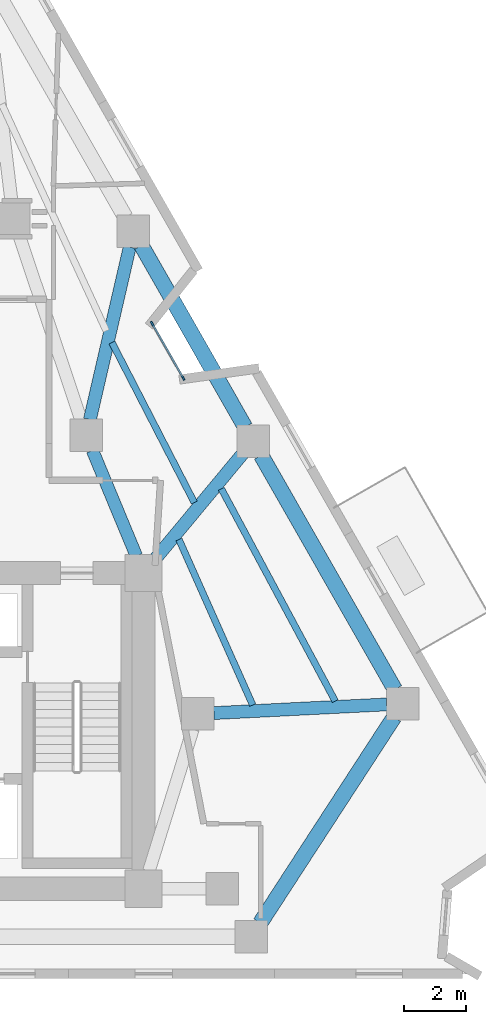
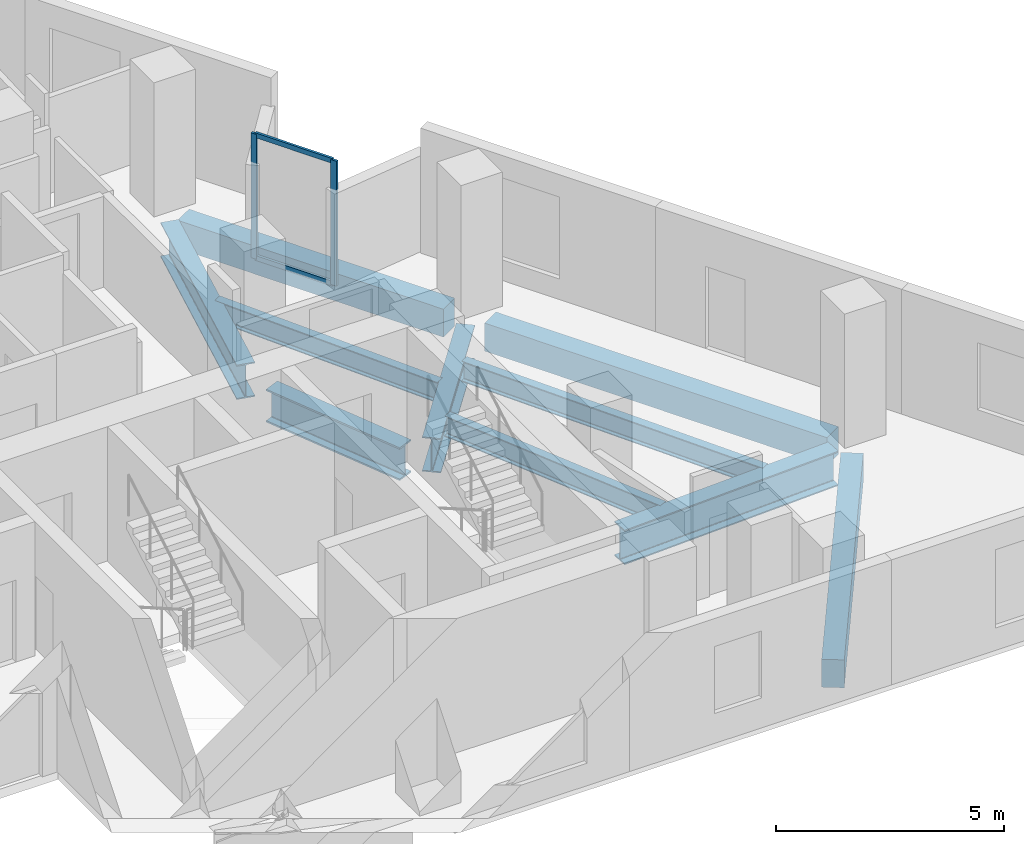
# One storey, part 4 of 11: 10 beams, 4 members, 1 element without a shape of its own.
"""IFC4 building model written with IfcOpenShell, lengths in metres."""

from ifc_helpers import new_model, si_unit, direction, frame, origin, origin_2d, place, context, subcontext, project, spatial, rectangle, i_section, extrude, material, layer, layer_set, material_profile, profile_set, type_object, element, aggregate, save


model = new_model("IFC4")

# Units and contexts
model_context = context("Model", 3, precision=1e-05, world=origin(), true_north=direction((0.0, 1.0)))
body_context = subcontext(model_context, "Body", "Model", "MODEL_VIEW")
ifc_project = project(units=[si_unit("LENGTHUNIT", "METRE"), si_unit("AREAUNIT", "SQUARE_METRE"), si_unit("VOLUMEUNIT", "CUBIC_METRE"), si_unit("PLANEANGLEUNIT", "RADIAN"), si_unit("MASSUNIT", "GRAM", prefix="KILO")], contexts=[model_context])

# Site, building, storey
site_placement = place(None, origin())
site = spatial("IfcSite", under=ifc_project, at=site_placement, CompositionType="ELEMENT")
building_placement = place(site_placement, origin())
building = spatial("IfcBuilding", under=site, at=building_placement, Name="Almagre Mirador Tower", CompositionType="ELEMENT")
storey_placement = place(building_placement, frame((0.0, 0.0, 146.39990234375)))
storey = spatial("IfcBuildingStorey", under=building, at=storey_placement, Name="L37", CompositionType="ELEMENT", Elevation=146.39990234375)

# Beams
ifc_material_1 = material(Name="Steel ASTM A992 Grade 50", Category="steel")
ifc_material_profile_1 = material_profile(ifc_material_1, i_section(OverallWidth=0.214111328125, OverallDepth=0.549072265625, WebThickness=0.0146484375, FlangeThickness=0.023681640625, FilletRadius=0.01806640625, at=origin_2d()), Name="W21X93")
ifc_profile_set_1 = profile_set([ifc_material_profile_1], Name="Steel ASTM A992 Grade 50")
beam_type_1 = type_object("IfcBeamType", Name="BM-JST-W21X93", PredefinedType="JOIST", material=ifc_profile_set_1)
beam_1_placement = place(storey_placement, frame((53.2470703125, 10.6123046875, -0.5244140625), z_axis=(-0.472715568147, 0.881215065482, 0.0), x_axis=(-0.881215065482, -0.472715568147, 0.0)))
element("IfcBeam", 1, at=beam_1_placement, inside=storey, type_object=beam_type_1, Name="L37 secondary floor joist PC05-PC06.1", PredefinedType="JOIST", context=body_context, shape_type="SweptSolid", body=[
    extrude(i_section(OverallWidth=0.214111328125, OverallDepth=0.549072265625, WebThickness=0.0146484375, FlangeThickness=0.023681640625, FilletRadius=0.01806640625, at=origin_2d()), origin(), (0.0, 0.0, 1.0), 7.7861328125),
])
beam_2_placement = place(storey_placement, frame((50.579833984375, 10.484619140625, -0.5244140625), z_axis=(-0.406842113196, 0.913498492024, 0.0), x_axis=(-0.913498492024, -0.406842113196, 0.0)))
element("IfcBeam", 2, at=beam_2_placement, inside=storey, type_object=beam_type_1, Name="L37 secondary floor joist PC05-PC06.3", PredefinedType="JOIST", context=body_context, shape_type="SweptSolid", body=[
    extrude(i_section(OverallWidth=0.214111328125, OverallDepth=0.549072265625, WebThickness=0.0146484375, FlangeThickness=0.023681640625, FilletRadius=0.01806640625, at=origin_2d()), origin(), (0.0, 0.0, 1.0), 5.858154296875),
])
beam_3_placement = place(storey_placement, frame((48.69384765625, 17.0283203125, -0.5244140625), z_axis=(-0.457690265575, 0.889111703217, 0.0), x_axis=(-0.889111703217, -0.457690265575, 0.0)))
element("IfcBeam", 3, at=beam_3_placement, inside=storey, type_object=beam_type_1, Name="L37 secondary floor joist PC06-PC07.2", PredefinedType="JOIST", context=body_context, shape_type="SweptSolid", body=[
    extrude(i_section(OverallWidth=0.214111328125, OverallDepth=0.549072265625, WebThickness=0.0146484375, FlangeThickness=0.023681640625, FilletRadius=0.01806640625, at=origin_2d()), origin(), (0.0, 0.0, 1.0), 5.818115234375),
])
ifc_material_2 = material(Name="Precast concrete C50/60", Category="concrete")
ifc_material_profile_2 = material_profile(ifc_material_2, rectangle(XDim=0.5, YDim=0.75, at=origin_2d()), Name="RC500X750")
ifc_profile_set_2 = profile_set([ifc_material_profile_2], Name="Precast concrete C50/60")
beam_type_2 = type_object("IfcBeamType", Name="BM-SPN-RC500X750", PredefinedType="SPANDREL", material=ifc_profile_set_2)
beam_4_placement = place(storey_placement, frame((50.822265625, 3.440185546875, -0.625), z_axis=(0.545085674256, 0.838380347885, 0.0), x_axis=(-0.838380347885, 0.545085674256, 0.0)))
element("IfcBeam", 4, at=beam_4_placement, inside=storey, type_object=beam_type_2, Name="L37 perimeter spandrel beam PC04-PC05", PredefinedType="SPANDREL", context=body_context, shape_type="SweptSolid", body=[
    extrude(rectangle(XDim=0.5, YDim=0.75, at=origin_2d()), origin(), (0.0, 0.0, 1.0), 7.935302734375),
])
beam_5_placement = place(storey_placement, frame((55.173828125, 10.989013671875, -0.625), z_axis=(-0.495713443993, 0.868486143496, 0.0), x_axis=(-0.868486143496, -0.495713443993, 0.0)))
element("IfcBeam", 5, at=beam_5_placement, inside=storey, type_object=beam_type_2, Name="L37 perimeter spandrel beam PC05-PC06", PredefinedType="SPANDREL", context=body_context, shape_type="SweptSolid", body=[
    extrude(rectangle(XDim=0.5, YDim=0.75, at=origin_2d()), origin(), (0.0, 0.0, 1.0), 8.7138671875),
])
beam_6_placement = place(storey_placement, frame((50.333740234375, 19.468994140625, -0.625), z_axis=(-0.495703346728, 0.868491906723, 0.0), x_axis=(-0.868491906723, -0.495703346728, 0.0)))
element("IfcBeam", 6, at=beam_6_placement, inside=storey, type_object=beam_type_2, Name="L37 perimeter spandrel beam PC06-PC07", PredefinedType="SPANDREL", context=body_context, shape_type="SweptSolid", body=[
    extrude(rectangle(XDim=0.5, YDim=0.75, at=origin_2d()), origin(), (0.0, 0.0, 1.0), 6.76123046875),
])
ifc_material_3 = material(Name="Steel ASTM A992 Grade 50", Category="steel")
ifc_material_profile_3 = material_profile(ifc_material_3, i_section(OverallWidth=0.404052734375, OverallDepth=0.884033203125, WebThickness=0.0244140625, FlangeThickness=0.0439453125, FilletRadius=0.02490234375, at=origin_2d()), Name="W33X291")
ifc_profile_set_3 = profile_set([ifc_material_profile_3], Name="Steel ASTM A992 Grade 50")
beam_type_3 = type_object("IfcBeamType", Name="BM-STL-W33X291", PredefinedType="BEAM", material=ifc_profile_set_3)
beam_7_placement = place(storey_placement, frame((45.401611328125, 18.715087890625, -0.69189453125), z_axis=(0.383845645019, -0.923397271384, 0.0), x_axis=(0.923397271384, 0.383845645019, 0.0)))
element("IfcBeam", 7, at=beam_7_placement, inside=storey, type_object=beam_type_3, Name="L37 core tie girder MC5-CC6", PredefinedType="BEAM", context=body_context, shape_type="SweptSolid", body=[
    extrude(i_section(OverallWidth=0.404052734375, OverallDepth=0.884033203125, WebThickness=0.0244140625, FlangeThickness=0.0439453125, FilletRadius=0.02490234375, at=origin_2d()), origin(), (0.0, 0.0, 1.0), 3.694091796875),
])
ifc_material_4 = material(Name="Steel ASTM A992 Grade 50", Category="steel")
ifc_material_profile_4 = material_profile(ifc_material_4, i_section(OverallWidth=0.41796875, OverallDepth=0.927001953125, WebThickness=0.019287109375, FlangeThickness=0.031982421875, FilletRadius=0.028076171875, at=origin_2d()), Name="W36X231")
ifc_profile_set_4 = profile_set([ifc_material_profile_4], Name="Steel ASTM A992 Grade 50")
beam_type_4 = type_object("IfcBeamType", Name="BM-STL-W36X231", PredefinedType="BEAM", material=ifc_profile_set_4)
beam_8_placement = place(storey_placement, frame((54.90966796875, 10.506591796875, -0.71337890625), z_axis=(-0.998743395924, -0.050116156068, 0.0), x_axis=(0.050116156068, -0.998743395924, 0.0)))
element("IfcBeam", 8, at=beam_8_placement, inside=storey, type_object=beam_type_4, Name="L37 radial floor girder PC05-MC3", PredefinedType="BEAM", context=body_context, shape_type="SweptSolid", body=[
    extrude(i_section(OverallWidth=0.41796875, OverallDepth=0.927001953125, WebThickness=0.019287109375, FlangeThickness=0.031982421875, FilletRadius=0.028076171875, at=origin_2d()), origin(), (0.0, 0.0, 1.0), 5.592529296875),
])
beam_9_placement = place(storey_placement, frame((50.25830078125, 18.609375, -0.71337890625), z_axis=(-0.639260058881, -0.768990622257, 0.0), x_axis=(0.768990622257, -0.639260058881, 0.0)))
element("IfcBeam", 9, at=beam_9_placement, inside=storey, type_object=beam_type_4, Name="L37 radial floor girder PC06-CC6", PredefinedType="BEAM", context=body_context, shape_type="SweptSolid", body=[
    extrude(i_section(OverallWidth=0.41796875, OverallDepth=0.927001953125, WebThickness=0.019287109375, FlangeThickness=0.031982421875, FilletRadius=0.028076171875, at=origin_2d()), origin(), (0.0, 0.0, 1.0), 4.418701171875),
])
beam_10_placement = place(storey_placement, frame((46.60400390625, 25.285400390625, -0.71337890625), z_axis=(-0.224800280545, -0.974404861373, 0.0), x_axis=(0.974404861373, -0.224800280545, 0.0)))
element("IfcBeam", 10, at=beam_10_placement, inside=storey, type_object=beam_type_4, Name="L37 radial floor girder PC07-MC5", PredefinedType="BEAM", context=body_context, shape_type="SweptSolid", body=[
    extrude(i_section(OverallWidth=0.41796875, OverallDepth=0.927001953125, WebThickness=0.019287109375, FlangeThickness=0.031982421875, FilletRadius=0.028076171875, at=origin_2d()), origin(), (0.0, 0.0, 1.0), 5.72021484375),
])

# Curtain wall, members
ifc_material_5 = material(Name="Black anodized aluminium", Category="aluminium")
ifc_layer = layer(ifc_material_5, 0.169921875)
ifc_layer_set = layer_set([ifc_layer], Name="Black anodized aluminium")
curtain_wall_type = type_object("IfcCurtainWallType", Name="CW-CRS-SYS", PredefinedType="NOTDEFINED", material=ifc_layer_set)
curtain_wall_placement = place(storey_placement, origin())
curtain_wall = element("IfcCurtainWall", 11, at=curtain_wall_placement, inside=storey, type_object=curtain_wall_type, Name="L37 vertical crease curtain wall 03", PredefinedType="NOTDEFINED")
ifc_material_6 = material(Name="Black anodized aluminium", Category="aluminium")
ifc_material_profile_5 = material_profile(ifc_material_6, rectangle(XDim=0.06005859375, YDim=0.14990234375, at=origin_2d()), Name="CWM60X150")
ifc_profile_set_5 = profile_set([ifc_material_profile_5], Name="Black anodized aluminium")
member_type_1 = type_object("IfcMemberType", Name="MBR-CWM60X150", PredefinedType="MULLION", material=ifc_profile_set_5)
member_1_placement = place(storey_placement, frame((47.329833984375, 22.81591796875, 0.0), z_axis=(0.0, 0.0, 1.0), x_axis=(0.868478613785, 0.495726635757, 0.0)))
member_1 = element("IfcMember", 12, at=member_1_placement, type_object=member_type_1, Name="CW-4 mullion 1", PredefinedType="MULLION", context=body_context, shape_type="SweptSolid", body=[
    extrude(rectangle(XDim=0.06005859375, YDim=0.14990234375, at=origin_2d()), origin(), (0.0, 0.0, 1.0), 3.35009765625),
])
member_2_placement = place(storey_placement, frame((48.336181640625, 21.052978515625, 0.0), z_axis=(0.0, 0.0, 1.0), x_axis=(0.868478613785, 0.495726635757, 0.0)))
member_2 = element("IfcMember", 13, at=member_2_placement, type_object=member_type_1, Name="CW-4 mullion 2", PredefinedType="MULLION", context=body_context, shape_type="SweptSolid", body=[
    extrude(rectangle(XDim=0.06005859375, YDim=0.14990234375, at=origin_2d()), origin(), (0.0, 0.0, 1.0), 3.35009765625),
])
ifc_material_7 = material(Name="Black anodized aluminium", Category="aluminium")
ifc_material_profile_6 = material_profile(ifc_material_7, rectangle(XDim=0.06005859375, YDim=0.1298828125, at=origin_2d()), Name="CWT60X130")
ifc_profile_set_6 = profile_set([ifc_material_profile_6], Name="Black anodized aluminium")
member_type_2 = type_object("IfcMemberType", Name="MBR-CWT60X130", PredefinedType="USERDEFINED", material=ifc_profile_set_6)
member_3_placement = place(storey_placement, frame((47.3447265625, 22.789794921875, 0.030029296875), z_axis=(0.495765161733, -0.868456622067, 0.0), x_axis=(0.868456622067, 0.495765161733, 0.0)))
member_3 = element("IfcMember", 14, at=member_3_placement, type_object=member_type_2, Name="CW-4 transom 1.1", ObjectType="TRANSOM", PredefinedType="USERDEFINED", context=body_context, shape_type="SweptSolid", body=[
    extrude(rectangle(XDim=0.06005859375, YDim=0.1298828125, at=origin_2d()), origin(), (0.0, 0.0, 1.0), 1.9697265625),
])
member_4_placement = place(storey_placement, frame((47.3447265625, 22.789794921875, 3.320068359375), z_axis=(0.495765161733, -0.868456622067, 0.0), x_axis=(0.868456622067, 0.495765161733, 0.0)))
member_4 = element("IfcMember", 15, at=member_4_placement, type_object=member_type_2, Name="CW-4 transom 1.2", ObjectType="TRANSOM", PredefinedType="USERDEFINED", context=body_context, shape_type="SweptSolid", body=[
    extrude(rectangle(XDim=0.06005859375, YDim=0.1298828125, at=origin_2d()), origin(), (0.0, 0.0, 1.0), 1.9697265625),
])
aggregate(curtain_wall, [member_1, member_2, member_3, member_4])

save(model, "model.ifc")
